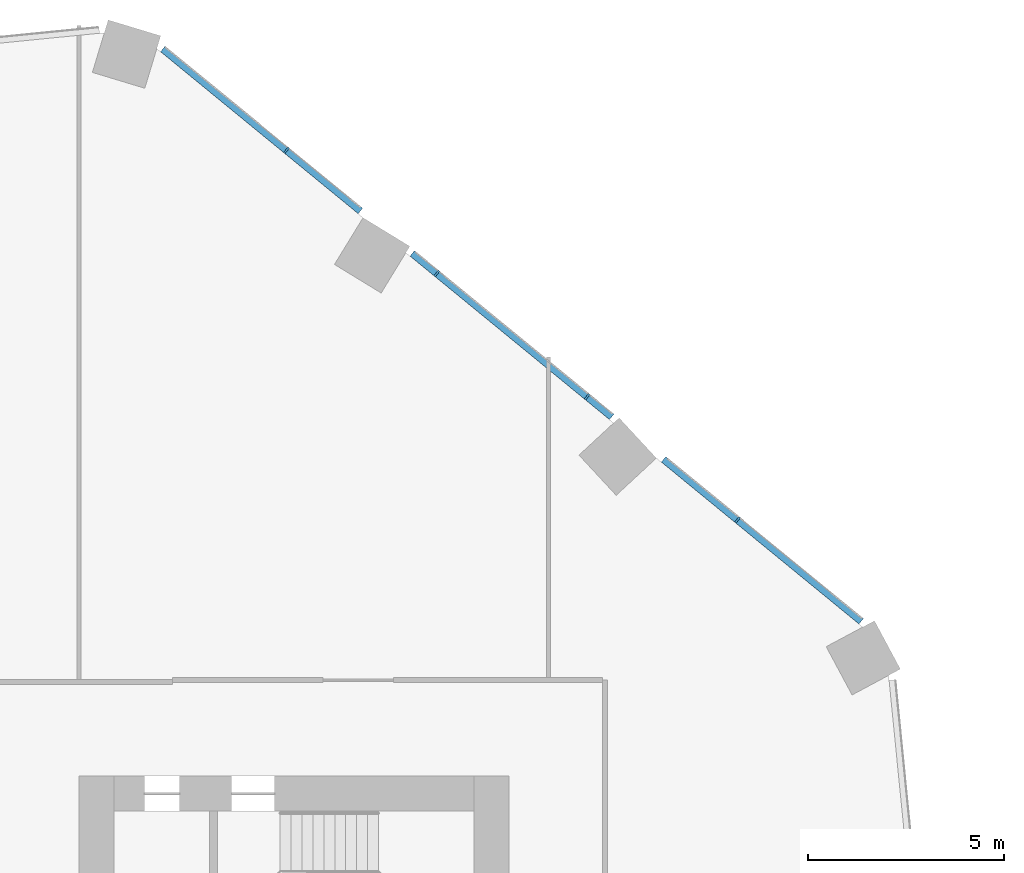
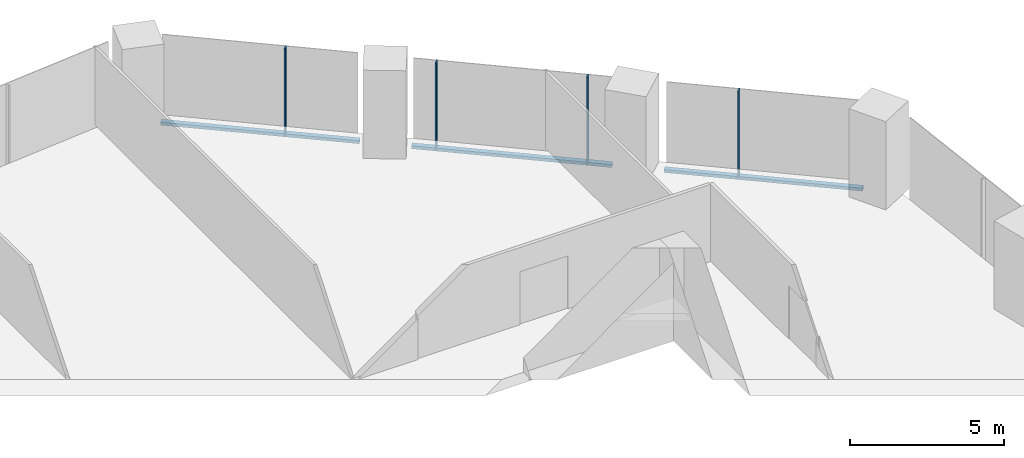
# One storey, part 14 of 34: 7 members, 1 element without a shape of its own.
"""IFC4 building model written with IfcOpenShell, lengths in metres."""

from ifc_helpers import new_model, si_unit, direction, frame, origin, origin_2d, place, context, subcontext, project, spatial, rectangle, extrude, material, material_profile, profile_set, type_object, element, aggregate, save


model = new_model("IFC4")

# Units and contexts
model_context = context("Model", 3, precision=1e-05, world=origin(), true_north=direction((0.0, 1.0)))
body_context = subcontext(model_context, "Body", "Model", "MODEL_VIEW")
ifc_project = project(units=[si_unit("LENGTHUNIT", "METRE"), si_unit("AREAUNIT", "SQUARE_METRE"), si_unit("VOLUMEUNIT", "CUBIC_METRE"), si_unit("PLANEANGLEUNIT", "RADIAN"), si_unit("MASSUNIT", "GRAM", prefix="KILO")], contexts=[model_context])

# Site, building, storey
site_placement = place(None, origin())
site = spatial("IfcSite", under=ifc_project, at=site_placement, CompositionType="ELEMENT")
building_placement = place(site_placement, origin())
building = spatial("IfcBuilding", under=site, at=building_placement, Name="Orlundy Tower", CompositionType="ELEMENT")
storey_placement = place(building_placement, frame((0.0, 0.0, 47.800048828125)))
storey = spatial("IfcBuildingStorey", under=building, at=storey_placement, Name="L10", CompositionType="ELEMENT", Elevation=47.800048828125)

# Curtain wall, members
ifc_material_1 = material(Name="Aluminium bronze anodised", Category="aluminium")
curtain_wall_type = type_object("IfcCurtainWallType", Name="CW1 wall", PredefinedType="NOTDEFINED", material=ifc_material_1)
curtain_wall_placement = place(storey_placement, origin())
curtain_wall = element("IfcCurtainWall", 1, at=curtain_wall_placement, inside=storey, type_object=curtain_wall_type, Name="CW1 run 04", PredefinedType="NOTDEFINED")
ifc_material_2 = material(Name="Aluminium bronze anodised", Category="aluminium")
ifc_material_profile_1 = material_profile(ifc_material_2, rectangle(XDim=0.179931640625, YDim=0.050048828125, at=origin_2d()), Name="CW1 mullion 50x180")
ifc_profile_set_1 = profile_set([ifc_material_profile_1], Name="Aluminium bronze anodised")
member_type_1 = type_object("IfcMemberType", Name="CW1 mullion 50x180", PredefinedType="MULLION", material=ifc_profile_set_1)
member_1_placement = place(storey_placement, frame((13.3046875, 27.999267578125, -0.420166015625), z_axis=(0.0, 0.0, 1.0), x_axis=(0.633818264458, 0.773482002143, 0.0)))
member_1 = element("IfcMember", 2, at=member_1_placement, type_object=member_type_1, Name="CW1 mullion 20", PredefinedType="MULLION", context=body_context, shape_type="SweptSolid", body=[
    extrude(rectangle(XDim=0.179931640625, YDim=0.050048828125, at=origin_2d()), origin(), (0.0, 0.0, 1.0), 3.5),
])
member_2_placement = place(storey_placement, frame((17.149169921875, 24.848876953125, -0.420166015625), z_axis=(0.0, 0.0, 1.0), x_axis=(0.633818264458, 0.773482002143, 0.0)))
member_2 = element("IfcMember", 3, at=member_2_placement, type_object=member_type_1, Name="CW1 mullion 21", PredefinedType="MULLION", context=body_context, shape_type="SweptSolid", body=[
    extrude(rectangle(XDim=0.179931640625, YDim=0.050048828125, at=origin_2d()), origin(), (0.0, 0.0, 1.0), 3.5),
])
member_3_placement = place(storey_placement, frame((20.993896484375, 21.698486328125, -0.420166015625), z_axis=(0.0, 0.0, 1.0), x_axis=(0.633818264458, 0.773482002143, 0.0)))
member_3 = element("IfcMember", 4, at=member_3_placement, type_object=member_type_1, Name="CW1 mullion 22", PredefinedType="MULLION", context=body_context, shape_type="SweptSolid", body=[
    extrude(rectangle(XDim=0.179931640625, YDim=0.050048828125, at=origin_2d()), origin(), (0.0, 0.0, 1.0), 3.5),
])
member_4_placement = place(storey_placement, frame((24.83837890625, 18.548095703125, -0.420166015625), z_axis=(0.0, 0.0, 1.0), x_axis=(0.633818264458, 0.773482002143, 0.0)))
member_4 = element("IfcMember", 5, at=member_4_placement, type_object=member_type_1, Name="CW1 mullion 23", PredefinedType="MULLION", context=body_context, shape_type="SweptSolid", body=[
    extrude(rectangle(XDim=0.179931640625, YDim=0.050048828125, at=origin_2d()), origin(), (0.0, 0.0, 1.0), 3.5),
])
ifc_material_3 = material(Name="Aluminium bronze anodised", Category="aluminium")
ifc_material_profile_2 = material_profile(ifc_material_3, rectangle(XDim=0.179931640625, YDim=0.1201171875, at=origin_2d()), Name="CW1 transom 180x120")
ifc_profile_set_2 = profile_set([ifc_material_profile_2], Name="Aluminium bronze anodised")
member_type_2 = type_object("IfcMemberType", Name="CW1 transom 180x120", PredefinedType="USERDEFINED", material=ifc_profile_set_2)
member_5_placement = place(storey_placement, frame((10.142822265625, 30.590087890625, -0.360107421875), z_axis=(0.773477422369, -0.633823853358, 0.0), x_axis=(0.633823853358, 0.773477422369, 0.0)))
member_5 = element("IfcMember", 6, at=member_5_placement, type_object=member_type_2, Name="CW1 transom", ObjectType="TRANSOM", PredefinedType="USERDEFINED", context=body_context, shape_type="SweptSolid", body=[
    extrude(rectangle(XDim=0.179931640625, YDim=0.1201171875, at=origin_2d()), origin(), (0.0, 0.0, 1.0), 6.53125),
])
member_6_placement = place(storey_placement, frame((16.52197265625, 25.36279296875, -0.360107421875), z_axis=(0.77347364966, -0.633828457298, 0.0), x_axis=(0.633828457298, 0.77347364966, 0.0)))
member_6 = element("IfcMember", 7, at=member_6_placement, type_object=member_type_2, Name="CW1 transom", ObjectType="TRANSOM", PredefinedType="USERDEFINED", context=body_context, shape_type="SweptSolid", body=[
    extrude(rectangle(XDim=0.179931640625, YDim=0.1201171875, at=origin_2d()), origin(), (0.0, 0.0, 1.0), 6.5927734375),
])
member_7_placement = place(storey_placement, frame((22.94873046875, 20.096435546875, -0.360107421875), z_axis=(0.773492438688, -0.633805527975, 0.0), x_axis=(0.633805527975, 0.773492438688, 0.0)))
member_7 = element("IfcMember", 8, at=member_7_placement, type_object=member_type_2, Name="CW1 transom", ObjectType="TRANSOM", PredefinedType="USERDEFINED", context=body_context, shape_type="SweptSolid", body=[
    extrude(rectangle(XDim=0.179931640625, YDim=0.1201171875, at=origin_2d()), origin(), (0.0, 0.0, 1.0), 6.531494140625),
])
aggregate(curtain_wall, [member_1, member_2, member_3, member_4, member_5, member_6, member_7])

save(model, "model.ifc")
